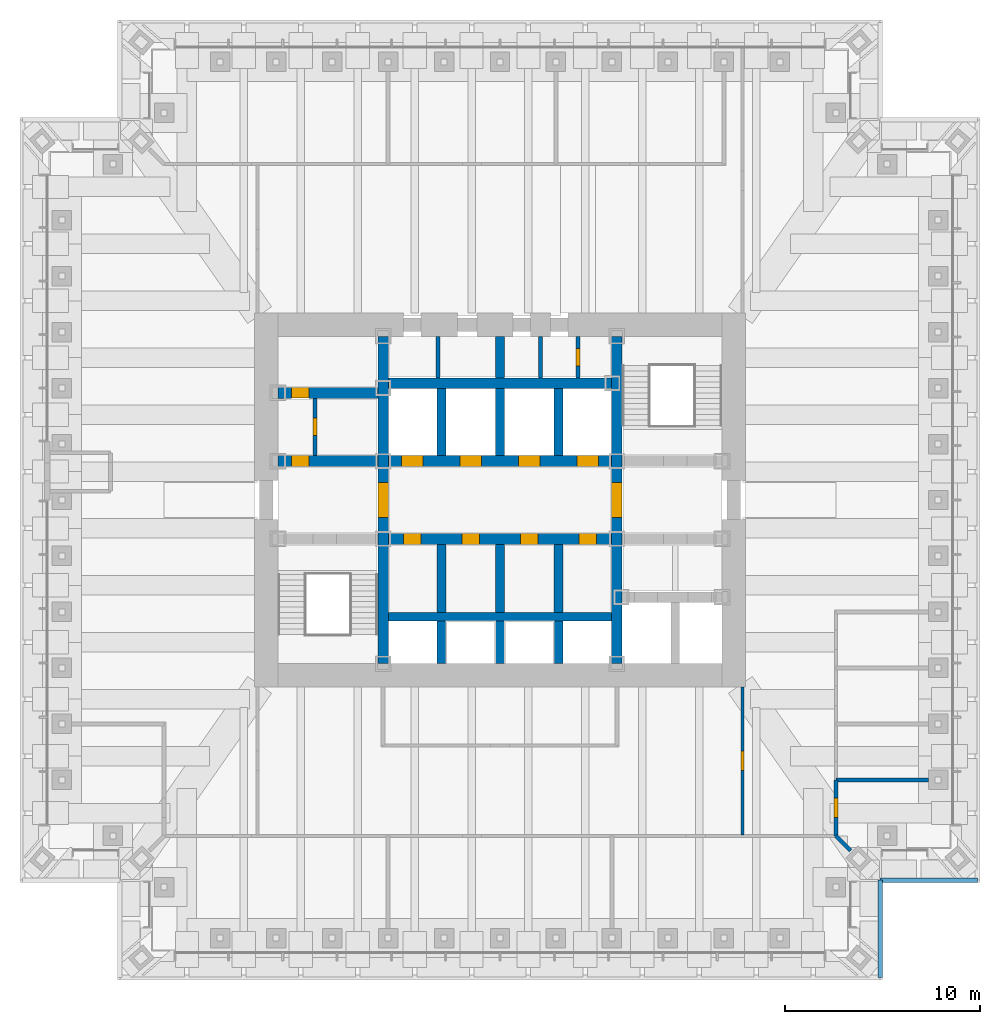
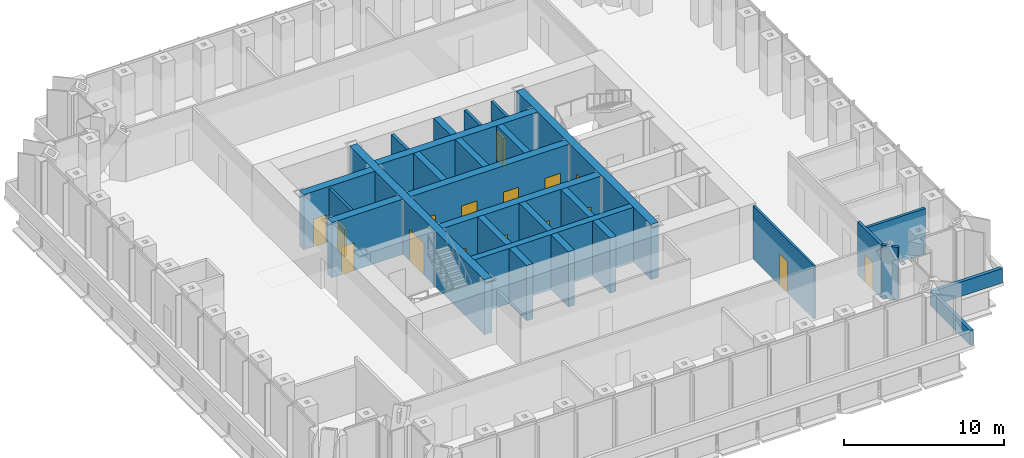
# One storey, part 9 of 13: 28 walls, 16 doors, 16 openings.
"""IFC4 building model written with IfcOpenShell, lengths in metres."""

from ifc_helpers import new_model, si_unit, direction, frame, frame_2d, origin, place, context, subcontext, project, spatial, rectangle, extrude, material, layer, layer_set, type_object, element, fill, save


model = new_model("IFC4")

# Units and contexts
model_context = context("Model", 3, precision=1e-05, world=origin(), true_north=direction((0.0, 1.0)))
body_context = subcontext(model_context, "Body", "Model", "MODEL_VIEW")
ifc_project = project(units=[si_unit("LENGTHUNIT", "METRE"), si_unit("AREAUNIT", "SQUARE_METRE"), si_unit("VOLUMEUNIT", "CUBIC_METRE"), si_unit("PLANEANGLEUNIT", "RADIAN"), si_unit("MASSUNIT", "GRAM", prefix="KILO")], contexts=[model_context])

# Site, building, storey
site_placement = place(None, origin())
site = spatial("IfcSite", under=ifc_project, at=site_placement, CompositionType="ELEMENT")
building_placement = place(site_placement, origin())
building = spatial("IfcBuilding", under=site, at=building_placement, Name="Daluyong Arena Tower", CompositionType="ELEMENT")
storey_placement = place(building_placement, frame((0.0, 0.0, 108.10009765625)))
storey = spatial("IfcBuildingStorey", under=building, at=storey_placement, Name="L23", CompositionType="ELEMENT", Elevation=108.10009765625)

# Wall, opening, door
ifc_material_1 = material(Name="Concrete fc' 45 MPa", Category="concrete")
ifc_layer_1 = layer(ifc_material_1, 0.550048828125)
ifc_layer_set_1 = layer_set([ifc_layer_1], Name="Concrete fc' 45 MPa")
wall_type_1 = type_object("IfcWallType", Name="Core inner wall 550", PredefinedType="SHEAR", material=ifc_layer_set_1)
wall_1_placement = place(storey_placement, frame((50.0, 71.60009765625, 0.0), z_axis=(0.0, 0.0, 1.0), x_axis=(0.0, 1.0, 0.0)))
wall_1 = element("IfcWall", 1, at=wall_1_placement, inside=storey, type_object=wall_type_1, Name="core inner wall at L23", PredefinedType="SHEAR", context=body_context, shape_type="SweptSolid", body=[
    extrude(rectangle(XDim=16.7998046875, YDim=0.550048828125, at=frame_2d((8.39990234375, 0.0))), origin(), (0.0, 0.0, 1.0), 4.199951171875),
])
opening_1_placement = place(wall_1_placement, frame((7.5, 0.0, 0.0)))
opening_1 = element("IfcOpeningElement", 2, at=opening_1_placement, cuts=wall_1, Name="Opening 23017", PredefinedType="OPENING", context=body_context, shape_type="SweptSolid", body=[
    extrude(rectangle(XDim=1.800048828125, YDim=2.39990234375, at=frame_2d((0.89990234375, 1.199951171875))), frame((0.0, 0.284912109375, 0.0), z_axis=(0.0, -1.0, 0.0), x_axis=(1.0, 0.0, 0.0)), (0.0, 0.0, 1.0), 0.570068359375),
])
ifc_material_2 = material(Name="Steel door, fire rated", Category="steel")
door_type_1 = type_object("IfcDoorType", Name="Lift lobby opening door 1800", OperationType="DOUBLE_DOOR_SINGLE_SWING", PredefinedType="DOOR", material=ifc_material_2)
door_1_placement = place(opening_1_placement, origin())
door_1 = element("IfcDoor", 3, at=door_1_placement, inside=storey, type_object=door_type_1, Name="lift lobby door west 23017", OperationType="DOUBLE_DOOR_SINGLE_SWING", OverallHeight=2.39990234375, OverallWidth=1.800048828125, PredefinedType="DOOR", context=body_context, shape_type="SweptSolid", body=[
    extrude(rectangle(XDim=1.800048828125, YDim=2.39990234375, at=frame_2d((0.89990234375, 1.199951171875))), frame((0.0, 0.27490234375, 0.0), z_axis=(0.0, -1.0, 0.0), x_axis=(1.0, 0.0, 0.0)), (0.0, 0.0, 1.0), 0.549560546875),
])
fill(opening_1, door_1)

wall_2_placement = place(storey_placement, frame((62.0, 71.60009765625, 0.0), z_axis=(0.0, 0.0, 1.0), x_axis=(0.0, 1.0, 0.0)))
wall_2 = element("IfcWall", 4, at=wall_2_placement, inside=storey, type_object=wall_type_1, Name="core inner wall at L23", PredefinedType="SHEAR", context=body_context, shape_type="SweptSolid", body=[
    extrude(rectangle(XDim=16.7998046875, YDim=0.550048828125, at=frame_2d((8.39990234375, 0.0))), origin(), (0.0, 0.0, 1.0), 4.199951171875),
])
opening_2_placement = place(wall_2_placement, frame((7.5, 0.0, 0.0)))
opening_2 = element("IfcOpeningElement", 5, at=opening_2_placement, cuts=wall_2, Name="Opening 23018", PredefinedType="OPENING", context=body_context, shape_type="SweptSolid", body=[
    extrude(rectangle(XDim=1.800048828125, YDim=2.39990234375, at=frame_2d((0.89990234375, 1.199951171875))), frame((0.0, 0.284912109375, 0.0), z_axis=(0.0, -1.0, 0.0), x_axis=(1.0, 0.0, 0.0)), (0.0, 0.0, 1.0), 0.570068359375),
])
door_2_placement = place(opening_2_placement, origin())
door_2 = element("IfcDoor", 6, at=door_2_placement, inside=storey, type_object=door_type_1, Name="lift lobby door east 23018", OperationType="DOUBLE_DOOR_SINGLE_SWING", OverallHeight=2.39990234375, OverallWidth=1.800048828125, PredefinedType="DOOR", context=body_context, shape_type="SweptSolid", body=[
    extrude(rectangle(XDim=1.800048828125, YDim=2.39990234375, at=frame_2d((0.89990234375, 1.199951171875))), frame((0.0, 0.27490234375, 0.0), z_axis=(0.0, -1.0, 0.0), x_axis=(1.0, 0.0, 0.0)), (0.0, 0.0, 1.0), 0.549560546875),
])
fill(opening_2, door_2)

wall_3_placement = place(storey_placement, frame((44.60009765625, 82.0, 0.0), z_axis=(0.0, 0.0, 1.0), x_axis=(1.0, 0.0, 0.0)))
wall_3 = element("IfcWall", 7, at=wall_3_placement, inside=storey, type_object=wall_type_1, Name="core inner wall at L23", PredefinedType="SHEAR", context=body_context, shape_type="SweptSolid", body=[
    extrude(rectangle(XDim=5.125, YDim=0.550048828125, at=frame_2d((2.5625, 0.0))), origin(), (0.0, 0.0, 1.0), 4.199951171875),
])
opening_3_placement = place(wall_3_placement, frame((0.699951171875, 0.0, 0.0)))
opening_3 = element("IfcOpeningElement", 8, at=opening_3_placement, cuts=wall_3, Name="Opening 23001", PredefinedType="OPENING", context=body_context, shape_type="SweptSolid", body=[
    extrude(rectangle(XDim=0.89990234375, YDim=2.10009765625, at=frame_2d((0.449951171875, 1.050048828125))), frame((0.0, 0.284912109375, 0.0), z_axis=(0.0, -1.0, 0.0), x_axis=(1.0, 0.0, 0.0)), (0.0, 0.0, 1.0), 0.570068359375),
])
ifc_material_3 = material(Name="Steel door, fire rated", Category="steel")
door_type_2 = type_object("IfcDoorType", Name="Core room door 900", OperationType="SINGLE_SWING_LEFT", PredefinedType="DOOR", material=ifc_material_3)
door_3_placement = place(opening_3_placement, origin())
door_3 = element("IfcDoor", 9, at=door_3_placement, inside=storey, type_object=door_type_2, Name="toilet lobby door 23001", OperationType="SINGLE_SWING_LEFT", OverallHeight=2.10009765625, OverallWidth=0.89990234375, PredefinedType="DOOR", context=body_context, shape_type="SweptSolid", body=[
    extrude(rectangle(XDim=0.89990234375, YDim=2.10009765625, at=frame_2d((0.449951171875, 1.050048828125))), frame((0.0, 0.27490234375, 0.0), z_axis=(0.0, -1.0, 0.0), x_axis=(1.0, 0.0, 0.0)), (0.0, 0.0, 1.0), 0.549560546875),
])
fill(opening_3, door_3)

wall_4_placement = place(storey_placement, frame((44.60009765625, 85.5, 0.0), z_axis=(0.0, 0.0, 1.0), x_axis=(1.0, 0.0, 0.0)))
wall_4 = element("IfcWall", 10, at=wall_4_placement, inside=storey, type_object=wall_type_1, Name="core inner wall at L23", PredefinedType="SHEAR", context=body_context, shape_type="SweptSolid", body=[
    extrude(rectangle(XDim=5.125, YDim=0.550048828125, at=frame_2d((2.5625, 0.0))), origin(), (0.0, 0.0, 1.0), 4.199951171875),
])
opening_4_placement = place(wall_4_placement, frame((0.699951171875, 0.0, 0.0)))
opening_4 = element("IfcOpeningElement", 11, at=opening_4_placement, cuts=wall_4, Name="Opening 23003", PredefinedType="OPENING", context=body_context, shape_type="SweptSolid", body=[
    extrude(rectangle(XDim=0.89990234375, YDim=2.10009765625, at=frame_2d((0.449951171875, 1.050048828125))), frame((0.0, 0.284912109375, 0.0), z_axis=(0.0, -1.0, 0.0), x_axis=(1.0, 0.0, 0.0)), (0.0, 0.0, 1.0), 0.570068359375),
])
ifc_material_4 = material(Name="Timber door", Category="wood")
door_type_3 = type_object("IfcDoorType", Name="Toilet door 900", OperationType="SINGLE_SWING_RIGHT", PredefinedType="DOOR", material=ifc_material_4)
door_4_placement = place(opening_4_placement, origin())
door_4 = element("IfcDoor", 12, at=door_4_placement, inside=storey, type_object=door_type_3, Name="female toilet door 23003", OperationType="SINGLE_SWING_RIGHT", OverallHeight=2.10009765625, OverallWidth=0.89990234375, PredefinedType="DOOR", context=body_context, shape_type="SweptSolid", body=[
    extrude(rectangle(XDim=0.89990234375, YDim=2.10009765625, at=frame_2d((0.449951171875, 1.050048828125))), frame((0.0, 0.27490234375, 0.0), z_axis=(0.0, -1.0, 0.0), x_axis=(1.0, 0.0, 0.0)), (0.0, 0.0, 1.0), 0.549560546875),
])
fill(opening_4, door_4)

# Wall, openings, doors
wall_5_placement = place(storey_placement, frame((50.27490234375, 78.0, 0.0), z_axis=(0.0, 0.0, 1.0), x_axis=(1.0, 0.0, 0.0)))
wall_5 = element("IfcWall", 13, at=wall_5_placement, inside=storey, type_object=wall_type_1, Name="core inner wall at L23", PredefinedType="SHEAR", context=body_context, shape_type="SweptSolid", body=[
    extrude(rectangle(XDim=11.4501953125, YDim=0.550048828125, at=frame_2d((5.72509765625, 0.0))), origin(), (0.0, 0.0, 1.0), 4.199951171875),
])
opening_5_placement = place(wall_5_placement, frame((0.77490234375, 0.0, 0.0)))
opening_5 = element("IfcOpeningElement", 14, at=opening_5_placement, cuts=wall_5, Name="Opening 23009", PredefinedType="OPENING", context=body_context, shape_type="SweptSolid", body=[
    extrude(rectangle(XDim=0.89990234375, YDim=2.10009765625, at=frame_2d((0.449951171875, 1.050048828125))), frame((0.0, 0.284912109375, 0.0), z_axis=(0.0, -1.0, 0.0), x_axis=(1.0, 0.0, 0.0)), (0.0, 0.0, 1.0), 0.570068359375),
])
opening_6_placement = place(wall_5_placement, frame((3.77490234375, 0.0, 0.0)))
opening_6 = element("IfcOpeningElement", 15, at=opening_6_placement, cuts=wall_5, Name="Opening 23010", PredefinedType="OPENING", context=body_context, shape_type="SweptSolid", body=[
    extrude(rectangle(XDim=0.89990234375, YDim=2.10009765625, at=frame_2d((0.449951171875, 1.050048828125))), frame((0.0, 0.284912109375, 0.0), z_axis=(0.0, -1.0, 0.0), x_axis=(1.0, 0.0, 0.0)), (0.0, 0.0, 1.0), 0.570068359375),
])
opening_7_placement = place(wall_5_placement, frame((6.77490234375, 0.0, 0.0)))
opening_7 = element("IfcOpeningElement", 16, at=opening_7_placement, cuts=wall_5, Name="Opening 23011", PredefinedType="OPENING", context=body_context, shape_type="SweptSolid", body=[
    extrude(rectangle(XDim=0.89990234375, YDim=2.10009765625, at=frame_2d((0.449951171875, 1.050048828125))), frame((0.0, 0.284912109375, 0.0), z_axis=(0.0, -1.0, 0.0), x_axis=(1.0, 0.0, 0.0)), (0.0, 0.0, 1.0), 0.570068359375),
])
opening_8_placement = place(wall_5_placement, frame((9.77490234375, 0.0, 0.0)))
opening_8 = element("IfcOpeningElement", 17, at=opening_8_placement, cuts=wall_5, Name="Opening 23012", PredefinedType="OPENING", context=body_context, shape_type="SweptSolid", body=[
    extrude(rectangle(XDim=0.89990234375, YDim=2.10009765625, at=frame_2d((0.449951171875, 1.050048828125))), frame((0.0, 0.284912109375, 0.0), z_axis=(0.0, -1.0, 0.0), x_axis=(1.0, 0.0, 0.0)), (0.0, 0.0, 1.0), 0.570068359375),
])
door_5_placement = place(opening_5_placement, origin())
door_5 = element("IfcDoor", 18, at=door_5_placement, inside=storey, type_object=door_type_2, Name="vending room door 23009", OperationType="SINGLE_SWING_LEFT", OverallHeight=2.10009765625, OverallWidth=0.89990234375, PredefinedType="DOOR", context=body_context, shape_type="SweptSolid", body=[
    extrude(rectangle(XDim=0.89990234375, YDim=2.10009765625, at=frame_2d((0.449951171875, 1.050048828125))), frame((0.0, 0.27490234375, 0.0), z_axis=(0.0, -1.0, 0.0), x_axis=(1.0, 0.0, 0.0)), (0.0, 0.0, 1.0), 0.549560546875),
])
fill(opening_5, door_5)
door_6_placement = place(opening_6_placement, origin())
door_6 = element("IfcDoor", 19, at=door_6_placement, inside=storey, type_object=door_type_2, Name="mail room door 23010", OperationType="SINGLE_SWING_LEFT", OverallHeight=2.10009765625, OverallWidth=0.89990234375, PredefinedType="DOOR", context=body_context, shape_type="SweptSolid", body=[
    extrude(rectangle(XDim=0.89990234375, YDim=2.10009765625, at=frame_2d((0.449951171875, 1.050048828125))), frame((0.0, 0.27490234375, 0.0), z_axis=(0.0, -1.0, 0.0), x_axis=(1.0, 0.0, 0.0)), (0.0, 0.0, 1.0), 0.549560546875),
])
fill(opening_6, door_6)
door_7_placement = place(opening_7_placement, origin())
door_7 = element("IfcDoor", 20, at=door_7_placement, inside=storey, type_object=door_type_2, Name="print room door 23011", OperationType="SINGLE_SWING_LEFT", OverallHeight=2.10009765625, OverallWidth=0.89990234375, PredefinedType="DOOR", context=body_context, shape_type="SweptSolid", body=[
    extrude(rectangle(XDim=0.89990234375, YDim=2.10009765625, at=frame_2d((0.449951171875, 1.050048828125))), frame((0.0, 0.27490234375, 0.0), z_axis=(0.0, -1.0, 0.0), x_axis=(1.0, 0.0, 0.0)), (0.0, 0.0, 1.0), 0.549560546875),
])
fill(opening_7, door_7)
door_8_placement = place(opening_8_placement, origin())
door_8 = element("IfcDoor", 21, at=door_8_placement, inside=storey, type_object=door_type_2, Name="tea point door 23012", OperationType="SINGLE_SWING_LEFT", OverallHeight=2.10009765625, OverallWidth=0.89990234375, PredefinedType="DOOR", context=body_context, shape_type="SweptSolid", body=[
    extrude(rectangle(XDim=0.89990234375, YDim=2.10009765625, at=frame_2d((0.449951171875, 1.050048828125))), frame((0.0, 0.27490234375, 0.0), z_axis=(0.0, -1.0, 0.0), x_axis=(1.0, 0.0, 0.0)), (0.0, 0.0, 1.0), 0.549560546875),
])
fill(opening_8, door_8)

wall_6_placement = place(storey_placement, frame((50.27490234375, 82.0, 0.0), z_axis=(0.0, 0.0, 1.0), x_axis=(1.0, 0.0, 0.0)))
wall_6 = element("IfcWall", 22, at=wall_6_placement, inside=storey, type_object=wall_type_1, Name="core inner wall at L23", PredefinedType="SHEAR", context=body_context, shape_type="SweptSolid", body=[
    extrude(rectangle(XDim=11.4501953125, YDim=0.550048828125, at=frame_2d((5.72509765625, 0.0))), origin(), (0.0, 0.0, 1.0), 4.199951171875),
])
opening_9_placement = place(wall_6_placement, frame((0.675048828125, 0.0, 0.0)))
opening_9 = element("IfcOpeningElement", 23, at=opening_9_placement, cuts=wall_6, Name="Opening 23020", PredefinedType="OPENING", context=body_context, shape_type="SweptSolid", body=[
    extrude(rectangle(XDim=1.10009765625, YDim=2.199951171875, at=frame_2d((0.550048828125, 1.10009765625))), frame((0.0, 0.284912109375, 0.0), z_axis=(0.0, -1.0, 0.0), x_axis=(1.0, 0.0, 0.0)), (0.0, 0.0, 1.0), 0.570068359375),
])
opening_10_placement = place(wall_6_placement, frame((3.675048828125, 0.0, 0.0)))
opening_10 = element("IfcOpeningElement", 24, at=opening_10_placement, cuts=wall_6, Name="Opening 23021", PredefinedType="OPENING", context=body_context, shape_type="SweptSolid", body=[
    extrude(rectangle(XDim=1.10009765625, YDim=2.199951171875, at=frame_2d((0.550048828125, 1.10009765625))), frame((0.0, 0.284912109375, 0.0), z_axis=(0.0, -1.0, 0.0), x_axis=(1.0, 0.0, 0.0)), (0.0, 0.0, 1.0), 0.570068359375),
])
opening_11_placement = place(wall_6_placement, frame((6.675048828125, 0.0, 0.0)))
opening_11 = element("IfcOpeningElement", 25, at=opening_11_placement, cuts=wall_6, Name="Opening 23022", PredefinedType="OPENING", context=body_context, shape_type="SweptSolid", body=[
    extrude(rectangle(XDim=1.10009765625, YDim=2.199951171875, at=frame_2d((0.550048828125, 1.10009765625))), frame((0.0, 0.284912109375, 0.0), z_axis=(0.0, -1.0, 0.0), x_axis=(1.0, 0.0, 0.0)), (0.0, 0.0, 1.0), 0.570068359375),
])
opening_12_placement = place(wall_6_placement, frame((9.675048828125, 0.0, 0.0)))
opening_12 = element("IfcOpeningElement", 26, at=opening_12_placement, cuts=wall_6, Name="Opening 23023", PredefinedType="OPENING", context=body_context, shape_type="SweptSolid", body=[
    extrude(rectangle(XDim=1.10009765625, YDim=2.199951171875, at=frame_2d((0.550048828125, 1.10009765625))), frame((0.0, 0.284912109375, 0.0), z_axis=(0.0, -1.0, 0.0), x_axis=(1.0, 0.0, 0.0)), (0.0, 0.0, 1.0), 0.570068359375),
])
ifc_material_5 = material(Name="Steel door, fire rated", Category="steel")
door_type_4 = type_object("IfcDoorType", Name="Lift landing door 1100", OperationType="SLIDING_TO_LEFT", PredefinedType="DOOR", material=ifc_material_5)
door_9_placement = place(opening_9_placement, origin())
door_9 = element("IfcDoor", 27, at=door_9_placement, inside=storey, type_object=door_type_4, Name="lift landing door B1 23020", OperationType="SLIDING_TO_LEFT", OverallHeight=2.199951171875, OverallWidth=1.10009765625, PredefinedType="DOOR", context=body_context, shape_type="SweptSolid", body=[
    extrude(rectangle(XDim=1.10009765625, YDim=2.199951171875, at=frame_2d((0.550048828125, 1.10009765625))), frame((0.0, 0.27490234375, 0.0), z_axis=(0.0, -1.0, 0.0), x_axis=(1.0, 0.0, 0.0)), (0.0, 0.0, 1.0), 0.549560546875),
])
fill(opening_9, door_9)
door_10_placement = place(opening_10_placement, origin())
door_10 = element("IfcDoor", 28, at=door_10_placement, inside=storey, type_object=door_type_4, Name="lift landing door B2 23021", OperationType="SLIDING_TO_LEFT", OverallHeight=2.199951171875, OverallWidth=1.10009765625, PredefinedType="DOOR", context=body_context, shape_type="SweptSolid", body=[
    extrude(rectangle(XDim=1.10009765625, YDim=2.199951171875, at=frame_2d((0.550048828125, 1.10009765625))), frame((0.0, 0.27490234375, 0.0), z_axis=(0.0, -1.0, 0.0), x_axis=(1.0, 0.0, 0.0)), (0.0, 0.0, 1.0), 0.549560546875),
])
fill(opening_10, door_10)
door_11_placement = place(opening_11_placement, origin())
door_11 = element("IfcDoor", 29, at=door_11_placement, inside=storey, type_object=door_type_4, Name="lift landing door B3 23022", OperationType="SLIDING_TO_LEFT", OverallHeight=2.199951171875, OverallWidth=1.10009765625, PredefinedType="DOOR", context=body_context, shape_type="SweptSolid", body=[
    extrude(rectangle(XDim=1.10009765625, YDim=2.199951171875, at=frame_2d((0.550048828125, 1.10009765625))), frame((0.0, 0.27490234375, 0.0), z_axis=(0.0, -1.0, 0.0), x_axis=(1.0, 0.0, 0.0)), (0.0, 0.0, 1.0), 0.549560546875),
])
fill(opening_11, door_11)
door_12_placement = place(opening_12_placement, origin())
door_12 = element("IfcDoor", 30, at=door_12_placement, inside=storey, type_object=door_type_4, Name="lift landing door B4 23023", OperationType="SLIDING_TO_LEFT", OverallHeight=2.199951171875, OverallWidth=1.10009765625, PredefinedType="DOOR", context=body_context, shape_type="SweptSolid", body=[
    extrude(rectangle(XDim=1.10009765625, YDim=2.199951171875, at=frame_2d((0.550048828125, 1.10009765625))), frame((0.0, 0.27490234375, 0.0), z_axis=(0.0, -1.0, 0.0), x_axis=(1.0, 0.0, 0.0)), (0.0, 0.0, 1.0), 0.549560546875),
])
fill(opening_12, door_12)

# Wall
wall_7_placement = place(storey_placement, frame((50.27490234375, 86.0, 0.0), z_axis=(0.0, 0.0, 1.0), x_axis=(1.0, 0.0, 0.0)))
element("IfcWall", 31, at=wall_7_placement, inside=storey, type_object=wall_type_1, Name="core inner wall at L23", PredefinedType="SHEAR", context=body_context, shape_type="SweptSolid", body=[
    extrude(rectangle(XDim=11.4501953125, YDim=0.550048828125, at=frame_2d((5.72509765625, 0.0))), origin(), (0.0, 0.0, 1.0), 4.199951171875),
])

# Wall, opening, door
ifc_material_6 = material(Name="Concrete block partition, fire rated", Category="concrete")
ifc_layer_2 = layer(ifc_material_6, 0.199951171875)
ifc_layer_set_2 = layer_set([ifc_layer_2], Name="Concrete block partition, fire rated")
wall_type_2 = type_object("IfcWallType", Name="Fire-rated partition 200", PredefinedType="PARTITIONING", material=ifc_layer_set_2)
wall_8_placement = place(storey_placement, frame((46.5, 82.27490234375, 0.0), z_axis=(0.0, 0.0, 1.0), x_axis=(0.0, 1.0, 0.0)))
wall_8 = element("IfcWall", 32, at=wall_8_placement, inside=storey, type_object=wall_type_2, Name="toilet lobby partition at L23", PredefinedType="PARTITIONING", context=body_context, shape_type="SweptSolid", body=[
    extrude(rectangle(XDim=2.9501953125, YDim=0.199951171875, at=frame_2d((1.47509765625, 0.0))), origin(), (0.0, 0.0, 1.0), 4.039794921875),
])
opening_13_placement = place(wall_8_placement, frame((1.02490234375, 0.0, 0.0)))
opening_13 = element("IfcOpeningElement", 33, at=opening_13_placement, cuts=wall_8, Name="Opening 23002", PredefinedType="OPENING", context=body_context, shape_type="SweptSolid", body=[
    extrude(rectangle(XDim=0.89990234375, YDim=2.10009765625, at=frame_2d((0.449951171875, 1.050048828125))), frame((0.0, 0.10986328125, 0.0), z_axis=(0.0, -1.0, 0.0), x_axis=(1.0, 0.0, 0.0)), (0.0, 0.0, 1.0), 0.219970703125),
])
door_13_placement = place(opening_13_placement, origin())
door_13 = element("IfcDoor", 34, at=door_13_placement, inside=storey, type_object=door_type_3, Name="male toilet door 23002", OperationType="SINGLE_SWING_RIGHT", OverallHeight=2.10009765625, OverallWidth=0.89990234375, PredefinedType="DOOR", context=body_context, shape_type="SweptSolid", body=[
    extrude(rectangle(XDim=0.89990234375, YDim=2.10009765625, at=frame_2d((0.449951171875, 1.050048828125))), frame((0.0, 0.099609375, 0.0), z_axis=(0.0, -1.0, 0.0), x_axis=(1.0, 0.0, 0.0)), (0.0, 0.0, 1.0), 0.199462890625),
])
fill(opening_13, door_13)

# Wall
wall_9_placement = place(storey_placement, frame((52.824951171875, 86.27490234375, 0.0), z_axis=(0.0, 0.0, 1.0), x_axis=(0.0, 1.0, 0.0)))
element("IfcWall", 35, at=wall_9_placement, inside=storey, type_object=wall_type_2, Name="core room partition at L23", PredefinedType="PARTITIONING", context=body_context, shape_type="SweptSolid", body=[
    extrude(rectangle(XDim=2.125, YDim=0.199951171875, at=frame_2d((1.0625, 0.0))), origin(), (0.0, 0.0, 1.0), 4.039794921875),
])

# Wall, opening, door
wall_10_placement = place(storey_placement, frame((60.0, 86.27490234375, 0.0), z_axis=(0.0, 0.0, 1.0), x_axis=(0.0, 1.0, 0.0)))
wall_10 = element("IfcWall", 36, at=wall_10_placement, inside=storey, type_object=wall_type_2, Name="electrical riser enclosure at L23", PredefinedType="PARTITIONING", context=body_context, shape_type="SweptSolid", body=[
    extrude(rectangle(XDim=2.125, YDim=0.199951171875, at=frame_2d((1.0625, 0.0))), origin(), (0.0, 0.0, 1.0), 4.039794921875),
])
opening_14_placement = place(wall_10_placement, frame((0.612548828125, 0.0, 0.0)))
opening_14 = element("IfcOpeningElement", 37, at=opening_14_placement, cuts=wall_10, Name="Opening 23008", PredefinedType="OPENING", context=body_context, shape_type="SweptSolid", body=[
    extrude(rectangle(XDim=0.89990234375, YDim=2.10009765625, at=frame_2d((0.449951171875, 1.050048828125))), frame((0.0, 0.10986328125, 0.0), z_axis=(0.0, -1.0, 0.0), x_axis=(1.0, 0.0, 0.0)), (0.0, 0.0, 1.0), 0.219970703125),
])
ifc_material_7 = material(Name="Steel door, fire rated", Category="steel")
door_type_5 = type_object("IfcDoorType", Name="Riser door 900", OperationType="SINGLE_SWING_LEFT", PredefinedType="DOOR", material=ifc_material_7)
door_14_placement = place(opening_14_placement, origin())
door_14 = element("IfcDoor", 38, at=door_14_placement, inside=storey, type_object=door_type_5, Name="riser door 23008", OperationType="SINGLE_SWING_LEFT", OverallHeight=2.10009765625, OverallWidth=0.89990234375, PredefinedType="DOOR", context=body_context, shape_type="SweptSolid", body=[
    extrude(rectangle(XDim=0.89990234375, YDim=2.10009765625, at=frame_2d((0.449951171875, 1.050048828125))), frame((0.0, 0.099609375, 0.0), z_axis=(0.0, -1.0, 0.0), x_axis=(1.0, 0.0, 0.0)), (0.0, 0.0, 1.0), 0.199462890625),
])
fill(opening_14, door_14)

# Wall
wall_11_placement = place(storey_placement, frame((58.074951171875, 86.27490234375, 0.0), z_axis=(0.0, 0.0, 1.0), x_axis=(0.0, 1.0, 0.0)))
element("IfcWall", 39, at=wall_11_placement, inside=storey, type_object=wall_type_2, Name="core room partition at L23", PredefinedType="PARTITIONING", context=body_context, shape_type="SweptSolid", body=[
    extrude(rectangle(XDim=2.125, YDim=0.199951171875, at=frame_2d((1.0625, 0.0))), origin(), (0.0, 0.0, 1.0), 4.039794921875),
])

# Wall, opening, door
ifc_material_8 = material(Name="Glazed aluminium partition", Category="aluminium")
ifc_layer_3 = layer(ifc_material_8, 0.14990234375)
ifc_layer_set_3 = layer_set([ifc_layer_3], Name="Glazed aluminium partition")
wall_type_3 = type_object("IfcWallType", Name="Glazed partition 150", PredefinedType="PARTITIONING", material=ifc_layer_set_3)
wall_12_placement = place(storey_placement, frame((68.449951171875, 62.800048828125, 0.0), z_axis=(0.0, 0.0, 1.0), x_axis=(0.0, 1.0, 0.0)))
wall_12 = element("IfcWall", 40, at=wall_12_placement, inside=storey, type_object=wall_type_3, Name="glazed partition at L23", PredefinedType="PARTITIONING", context=body_context, shape_type="SweptSolid", body=[
    extrude(rectangle(XDim=7.599853515625, YDim=0.14990234375, at=frame_2d((3.7998046875, 0.0))), origin(), (0.0, 0.0, 1.0), 4.039794921875),
])
opening_15_placement = place(wall_12_placement, frame((3.300048828125, 0.0, 0.0)))
opening_15 = element("IfcOpeningElement", 41, at=opening_15_placement, cuts=wall_12, Name="Opening 23039", PredefinedType="OPENING", context=body_context, shape_type="SweptSolid", body=[
    extrude(rectangle(XDim=1.0, YDim=2.39990234375, at=frame_2d((0.5, 1.199951171875))), frame((0.0, 0.0849609375, 0.0), z_axis=(0.0, -1.0, 0.0), x_axis=(1.0, 0.0, 0.0)), (0.0, 0.0, 1.0), 0.169921875),
])
ifc_material_9 = material(Name="Glazed aluminium door", Category="aluminium")
door_type_6 = type_object("IfcDoorType", Name="Meeting room glazed door 1000", OperationType="SINGLE_SWING_RIGHT", PredefinedType="DOOR", material=ifc_material_9)
door_15_placement = place(opening_15_placement, origin())
door_15 = element("IfcDoor", 42, at=door_15_placement, inside=storey, type_object=door_type_6, Name="team area screen door 23039", OperationType="SINGLE_SWING_RIGHT", OverallHeight=2.39990234375, OverallWidth=1.0, PredefinedType="DOOR", context=body_context, shape_type="SweptSolid", body=[
    extrude(rectangle(XDim=1.0, YDim=2.39990234375, at=frame_2d((0.5, 1.199951171875))), frame((0.0, 0.07470703125, 0.0), z_axis=(0.0, -1.0, 0.0), x_axis=(1.0, 0.0, 0.0)), (0.0, 0.0, 1.0), 0.1494140625),
])
fill(opening_15, door_15)

# Walls
ifc_material_10 = material(Name="Concrete fc' 45 MPa", Category="concrete")
ifc_layer_4 = layer(ifc_material_10, 0.449951171875)
ifc_layer_set_4 = layer_set([ifc_layer_4], Name="Concrete fc' 45 MPa")
wall_type_4 = type_object("IfcWallType", Name="Lift shaft wall 450", PredefinedType="SHEAR", material=ifc_layer_set_4)
wall_13_placement = place(storey_placement, frame((50.27490234375, 74.0, 0.0), z_axis=(0.0, 0.0, 1.0), x_axis=(1.0, 0.0, 0.0)))
element("IfcWall", 43, at=wall_13_placement, inside=storey, type_object=wall_type_4, Name="lift shaft wall at L23", PredefinedType="SHEAR", context=body_context, shape_type="SweptSolid", body=[
    extrude(rectangle(XDim=11.4501953125, YDim=0.449951171875, at=frame_2d((5.72509765625, 0.0))), origin(), (0.0, 0.0, 1.0), 4.199951171875),
])
wall_14_placement = place(storey_placement, frame((53.0, 71.60009765625, 0.0), z_axis=(0.0, 0.0, 1.0), x_axis=(0.0, 1.0, 0.0)))
element("IfcWall", 44, at=wall_14_placement, inside=storey, type_object=wall_type_4, Name="lift shaft wall at L23", PredefinedType="SHEAR", context=body_context, shape_type="SweptSolid", body=[
    extrude(rectangle(XDim=2.1748046875, YDim=0.449951171875, at=frame_2d((1.08740234375, 0.0))), origin(), (0.0, 0.0, 1.0), 4.199951171875),
])
wall_15_placement = place(storey_placement, frame((53.0, 74.22509765625, 0.0), z_axis=(0.0, 0.0, 1.0), x_axis=(0.0, 1.0, 0.0)))
element("IfcWall", 45, at=wall_15_placement, inside=storey, type_object=wall_type_4, Name="lift shaft wall at L23", PredefinedType="SHEAR", context=body_context, shape_type="SweptSolid", body=[
    extrude(rectangle(XDim=3.5, YDim=0.449951171875, at=frame_2d((1.75, 0.0))), origin(), (0.0, 0.0, 1.0), 4.199951171875),
])
wall_16_placement = place(storey_placement, frame((53.0, 82.27490234375, 0.0), z_axis=(0.0, 0.0, 1.0), x_axis=(0.0, 1.0, 0.0)))
element("IfcWall", 46, at=wall_16_placement, inside=storey, type_object=wall_type_4, Name="lift shaft wall at L23", PredefinedType="SHEAR", context=body_context, shape_type="SweptSolid", body=[
    extrude(rectangle(XDim=3.4501953125, YDim=0.449951171875, at=frame_2d((1.72509765625, 0.0))), origin(), (0.0, 0.0, 1.0), 4.199951171875),
])
wall_17_placement = place(storey_placement, frame((56.0, 71.60009765625, 0.0), z_axis=(0.0, 0.0, 1.0), x_axis=(0.0, 1.0, 0.0)))
element("IfcWall", 47, at=wall_17_placement, inside=storey, type_object=wall_type_4, Name="lift shaft wall at L23", PredefinedType="SHEAR", context=body_context, shape_type="SweptSolid", body=[
    extrude(rectangle(XDim=2.1748046875, YDim=0.449951171875, at=frame_2d((1.08740234375, 0.0))), origin(), (0.0, 0.0, 1.0), 4.199951171875),
])
wall_18_placement = place(storey_placement, frame((56.0, 74.22509765625, 0.0), z_axis=(0.0, 0.0, 1.0), x_axis=(0.0, 1.0, 0.0)))
element("IfcWall", 48, at=wall_18_placement, inside=storey, type_object=wall_type_4, Name="lift shaft wall at L23", PredefinedType="SHEAR", context=body_context, shape_type="SweptSolid", body=[
    extrude(rectangle(XDim=3.5, YDim=0.449951171875, at=frame_2d((1.75, 0.0))), origin(), (0.0, 0.0, 1.0), 4.199951171875),
])
wall_19_placement = place(storey_placement, frame((56.0, 82.27490234375, 0.0), z_axis=(0.0, 0.0, 1.0), x_axis=(0.0, 1.0, 0.0)))
element("IfcWall", 49, at=wall_19_placement, inside=storey, type_object=wall_type_4, Name="lift shaft wall at L23", PredefinedType="SHEAR", context=body_context, shape_type="SweptSolid", body=[
    extrude(rectangle(XDim=3.4501953125, YDim=0.449951171875, at=frame_2d((1.72509765625, 0.0))), origin(), (0.0, 0.0, 1.0), 4.199951171875),
])
wall_20_placement = place(storey_placement, frame((59.0, 71.60009765625, 0.0), z_axis=(0.0, 0.0, 1.0), x_axis=(0.0, 1.0, 0.0)))
element("IfcWall", 50, at=wall_20_placement, inside=storey, type_object=wall_type_4, Name="lift shaft wall at L23", PredefinedType="SHEAR", context=body_context, shape_type="SweptSolid", body=[
    extrude(rectangle(XDim=2.1748046875, YDim=0.449951171875, at=frame_2d((1.08740234375, 0.0))), origin(), (0.0, 0.0, 1.0), 4.199951171875),
])
wall_21_placement = place(storey_placement, frame((59.0, 74.22509765625, 0.0), z_axis=(0.0, 0.0, 1.0), x_axis=(0.0, 1.0, 0.0)))
element("IfcWall", 51, at=wall_21_placement, inside=storey, type_object=wall_type_4, Name="lift shaft wall at L23", PredefinedType="SHEAR", context=body_context, shape_type="SweptSolid", body=[
    extrude(rectangle(XDim=3.5, YDim=0.449951171875, at=frame_2d((1.75, 0.0))), origin(), (0.0, 0.0, 1.0), 4.199951171875),
])
wall_22_placement = place(storey_placement, frame((59.0, 82.27490234375, 0.0), z_axis=(0.0, 0.0, 1.0), x_axis=(0.0, 1.0, 0.0)))
element("IfcWall", 52, at=wall_22_placement, inside=storey, type_object=wall_type_4, Name="lift shaft wall at L23", PredefinedType="SHEAR", context=body_context, shape_type="SweptSolid", body=[
    extrude(rectangle(XDim=3.4501953125, YDim=0.449951171875, at=frame_2d((1.72509765625, 0.0))), origin(), (0.0, 0.0, 1.0), 4.199951171875),
])
wall_23_placement = place(storey_placement, frame((56.0, 86.27490234375, 0.0), z_axis=(0.0, 0.0, 1.0), x_axis=(0.0, 1.0, 0.0)))
element("IfcWall", 53, at=wall_23_placement, inside=storey, type_object=wall_type_4, Name="lift shaft wall at L23", PredefinedType="SHEAR", context=body_context, shape_type="SweptSolid", body=[
    extrude(rectangle(XDim=2.125, YDim=0.449951171875, at=frame_2d((1.0625, 0.0))), origin(), (0.0, 0.0, 1.0), 4.199951171875),
])
ifc_material_11 = material(Name="Concrete block partition", Category="concrete")
ifc_layer_5 = layer(ifc_material_11, 0.199951171875)
ifc_layer_set_5 = layer_set([ifc_layer_5], Name="Concrete block partition")
wall_type_5 = type_object("IfcWallType", Name="Partition 200", PredefinedType="PARTITIONING", material=ifc_layer_set_5)
wall_24_placement = place(storey_placement, frame((73.25, 65.625, 0.0), z_axis=(0.0, 0.0, 1.0), x_axis=(1.0, 0.0, 0.0)))
element("IfcWall", 54, at=wall_24_placement, inside=storey, type_object=wall_type_5, Name="partition at L23", PredefinedType="PARTITIONING", context=body_context, shape_type="SweptSolid", body=[
    extrude(rectangle(XDim=4.75, YDim=0.199951171875, at=frame_2d((2.375, 0.0))), origin(), (0.0, 0.0, 1.0), 3.427734375),
])

# Wall, opening, door
wall_25_placement = place(storey_placement, frame((73.25, 62.75, 0.0), z_axis=(0.0, 0.0, 1.0), x_axis=(0.0, 1.0, 0.0)))
wall_25 = element("IfcWall", 55, at=wall_25_placement, inside=storey, type_object=wall_type_5, Name="partition at L23", PredefinedType="PARTITIONING", context=body_context, shape_type="SweptSolid", body=[
    extrude(rectangle(XDim=2.875, YDim=0.199951171875, at=frame_2d((1.4375, 0.0))), origin(), (0.0, 0.0, 1.0), 4.039794921875),
])
opening_16_placement = place(wall_25_placement, frame((0.9375, 0.0, 0.0)))
opening_16 = element("IfcOpeningElement", 56, at=opening_16_placement, cuts=wall_25, Name="Opening 23029", PredefinedType="OPENING", context=body_context, shape_type="SweptSolid", body=[
    extrude(rectangle(XDim=1.0, YDim=2.10009765625, at=frame_2d((0.5, 1.050048828125))), frame((0.0, 0.10986328125, 0.0), z_axis=(0.0, -1.0, 0.0), x_axis=(1.0, 0.0, 0.0)), (0.0, 0.0, 1.0), 0.219970703125),
])
ifc_material_12 = material(Name="Timber door", Category="wood")
door_type_7 = type_object("IfcDoorType", Name="Room door 1000", OperationType="SINGLE_SWING_LEFT", PredefinedType="DOOR", material=ifc_material_12)
door_16_placement = place(opening_16_placement, origin())
door_16 = element("IfcDoor", 57, at=door_16_placement, inside=storey, type_object=door_type_7, Name="wellness room door 23029", OperationType="SINGLE_SWING_LEFT", OverallHeight=2.10009765625, OverallWidth=1.0, PredefinedType="DOOR", context=body_context, shape_type="SweptSolid", body=[
    extrude(rectangle(XDim=1.0, YDim=2.10009765625, at=frame_2d((0.5, 1.050048828125))), frame((0.0, 0.099609375, 0.0), z_axis=(0.0, -1.0, 0.0), x_axis=(1.0, 0.0, 0.0)), (0.0, 0.0, 1.0), 0.199462890625),
])
fill(opening_16, door_16)

# Walls
wall_26_placement = place(storey_placement, frame((73.25, 62.75, 0.0), z_axis=(0.0, 0.0, 1.0), x_axis=(0.707106781187, -0.707106781187, 0.0)))
element("IfcWall", 58, at=wall_26_placement, inside=storey, type_object=wall_type_5, Name="partition at L23", PredefinedType="PARTITIONING", context=body_context, shape_type="SweptSolid", body=[
    extrude(rectangle(XDim=1.060546875, YDim=0.199951171875, at=frame_2d((0.5302734375, 0.0))), origin(), (0.0, 0.0, 1.0), 4.039794921875),
])
ifc_material_13 = material(Name="Precast concrete fc' 45 MPa", Category="concrete")
ifc_layer_6 = layer(ifc_material_13, 0.25)
ifc_layer_set_6 = layer_set([ifc_layer_6], Name="Precast concrete fc' 45 MPa")
wall_type_6 = type_object("IfcWallType", Name="Setback roof parapet 250", PredefinedType="PARAPET", material=ifc_layer_set_6)
for number, where, z_axis, x_axis, name in (
    (59, (80.52490234375, 60.47509765625, 0.0), (0.0, 0.0, 1.0), (-1.0, 0.0, 0.0), "setback roof parapet L23"),
    (60, (75.52490234375, 60.47509765625, 0.0), (0.0, 0.0, 1.0), (0.0, -1.0, 0.0), "setback roof parapet L23"),
):
    element("IfcWall", number, at=place(storey_placement, frame(where, z_axis=z_axis, x_axis=x_axis)), inside=storey, type_object=wall_type_6, Name=name, PredefinedType="PARAPET", context=body_context, shape_type="SweptSolid", body=[
        extrude(rectangle(XDim=5.0, YDim=0.25, at=frame_2d((2.5, 0.0))), origin(), (0.0, 0.0, 1.0), 1.099853515625),
    ])

save(model, "model.ifc")
